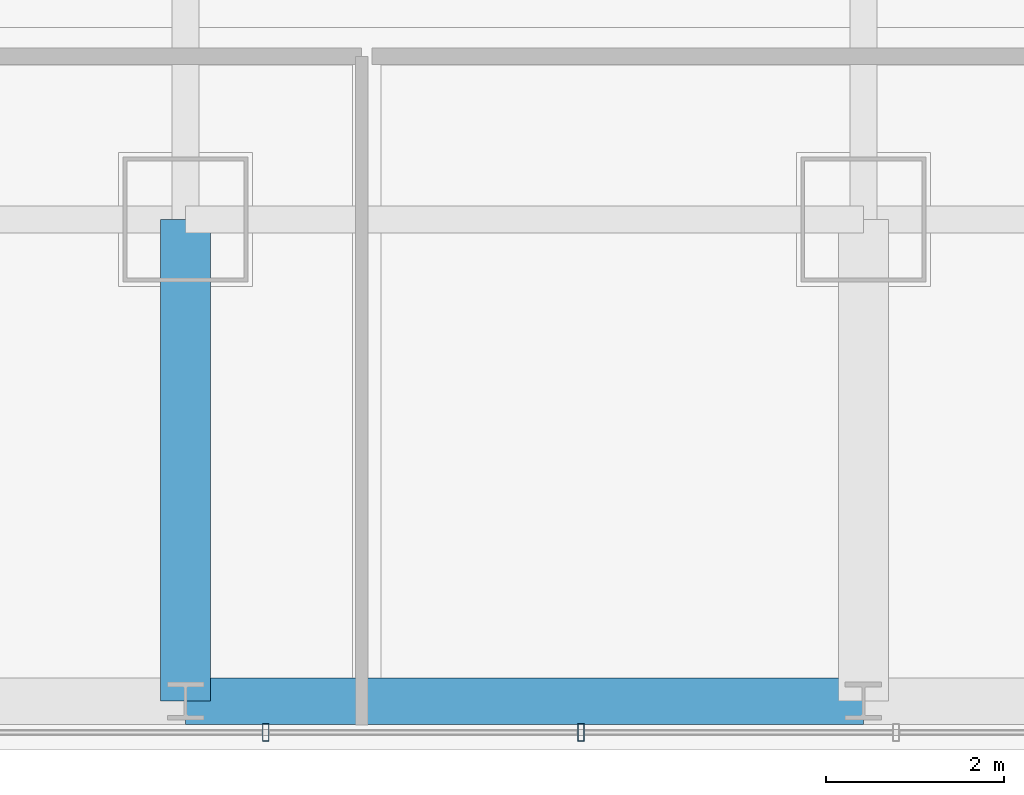
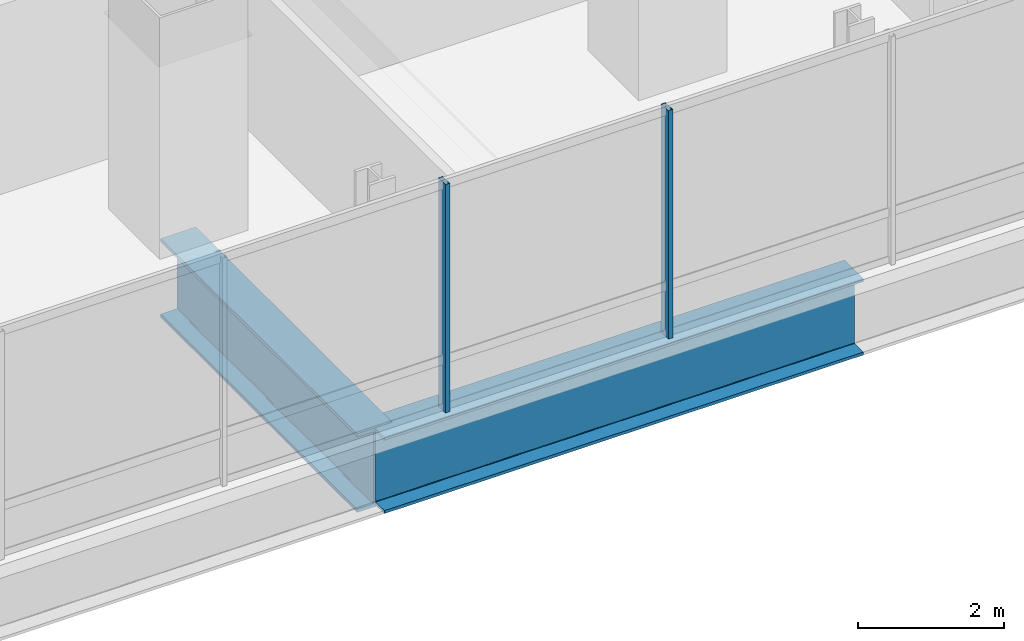
# One storey, part 5 of 36: 2 beams, 2 members, 1 element without a shape of its own.
"""IFC4 building model written with IfcOpenShell, lengths in metres."""

from ifc_helpers import new_model, si_unit, direction, frame, origin, origin_2d, place, context, subcontext, project, spatial, hollow_rectangle, i_section, extrude, material, material_profile, profile_set, type_object, element, aggregate, save


model = new_model("IFC4")

# Units and contexts
model_context = context("Model", 3, precision=1e-05, world=origin(), true_north=direction((0.0, 1.0)))
body_context = subcontext(model_context, "Body", "Model", "MODEL_VIEW")
ifc_project = project(units=[si_unit("LENGTHUNIT", "METRE"), si_unit("AREAUNIT", "SQUARE_METRE"), si_unit("VOLUMEUNIT", "CUBIC_METRE"), si_unit("PLANEANGLEUNIT", "RADIAN"), si_unit("MASSUNIT", "GRAM", prefix="KILO")], contexts=[model_context])

# Site, building, storey
site_placement = place(None, origin())
site = spatial("IfcSite", under=ifc_project, at=site_placement, CompositionType="ELEMENT")
building_placement = place(site_placement, origin())
building = spatial("IfcBuilding", under=site, at=building_placement, Name="Punatoya Terracotta Tower", CompositionType="ELEMENT")
storey_placement = place(building_placement, frame((0.0, 0.0, 208.64990234375)))
storey = spatial("IfcBuildingStorey", under=building, at=storey_placement, Name="L49", CompositionType="ELEMENT", Elevation=208.64990234375)

# Beams
ifc_material_1 = material(Name="Steel S460", Category="steel")
ifc_material_profile_1 = material_profile(ifc_material_1, i_section(OverallWidth=0.56005859375, OverallDepth=1.320068359375, WebThickness=0.035888671875, FlangeThickness=0.054931640625, FilletRadius=0.01806640625, at=origin_2d()))
ifc_profile_set_1 = profile_set([ifc_material_profile_1], Name="Steel S460")
beam_type_1 = type_object("IfcBeamType", Name="BM-TG-BLK", PredefinedType="BEAM", material=ifc_profile_set_1)
beam_1_placement = place(storey_placement, frame((-3.800048828125, -22.89990234375, -0.8798828125), z_axis=(0.0, 1.0, 0.0), x_axis=(-1.0, 0.0, 0.0)))
element("IfcBeam", 1, at=beam_1_placement, inside=storey, type_object=beam_type_1, Name="BM-L49-CANT-S2", PredefinedType="BEAM", context=body_context, shape_type="SweptSolid", body=[
    extrude(i_section(OverallWidth=0.56005859375, OverallDepth=1.320068359375, WebThickness=0.035888671875, FlangeThickness=0.054931640625, FilletRadius=0.01806640625, at=origin_2d()), origin(), (0.0, 0.0, 1.0), 5.39990234375),
])
ifc_material_profile_2 = material_profile(ifc_material_1, i_section(OverallWidth=0.52001953125, OverallDepth=1.280029296875, WebThickness=0.031982421875, FlangeThickness=0.050048828125, FilletRadius=0.01806640625, at=origin_2d()))
ifc_profile_set_2 = profile_set([ifc_material_profile_2], Name="Steel S460")
beam_type_2 = type_object("IfcBeamType", Name="BM-TG-NCK", PredefinedType="BEAM", material=ifc_profile_set_2)
beam_2_placement = place(storey_placement, frame((-3.800048828125, -22.89990234375, -0.85986328125), z_axis=(1.0, 0.0, 0.0), x_axis=(0.0, 1.0, 0.0)))
element("IfcBeam", 2, at=beam_2_placement, inside=storey, type_object=beam_type_2, Name="BM-L49-PER-S2", PredefinedType="BEAM", context=body_context, shape_type="SweptSolid", body=[
    extrude(i_section(OverallWidth=0.52001953125, OverallDepth=1.280029296875, WebThickness=0.031982421875, FlangeThickness=0.050048828125, FilletRadius=0.01806640625, at=origin_2d()), origin(), (0.0, 0.0, 1.0), 7.60009765625),
])

# Curtain wall, members
ifc_material_2 = material(Name="Aluminium 6063-T6 + Double Low-E Glass", Category="aluminium")
curtain_wall_type = type_object("IfcCurtainWallType", Name="CW-M2", PredefinedType="NOTDEFINED", material=ifc_material_2)
curtain_wall_placement = place(storey_placement, origin())
curtain_wall = element("IfcCurtainWall", 3, at=curtain_wall_placement, inside=storey, type_object=curtain_wall_type, Name="L49 Curtain Wall CW-L49-S01-1", PredefinedType="NOTDEFINED")
ifc_material_3 = material(Name="Aluminium 6063-T6", Category="aluminium")
ifc_material_profile_3 = material_profile(ifc_material_3, hollow_rectangle(XDim=0.072021484375, YDim=0.195068359375, WallThickness=0.00439453125, at=origin_2d()))
ifc_profile_set_3 = profile_set([ifc_material_profile_3], Name="Aluminium 6063-T6")
member_type = type_object("IfcMemberType", Name="CW-MUL-M2", PredefinedType="MULLION", material=ifc_profile_set_3)
member_1_placement = place(storey_placement, frame((-2.90087890625, -23.25, 0.0), z_axis=(0.0, 0.0, 1.0), x_axis=(1.0, 0.0, 0.0)))
member_1 = element("IfcMember", 4, at=member_1_placement, type_object=member_type, Name="CW-L49-S01-1 Mullion 04", PredefinedType="MULLION", context=body_context, shape_type="SweptSolid", body=[
    extrude(hollow_rectangle(XDim=0.072021484375, YDim=0.195068359375, WallThickness=0.00439453125, at=origin_2d()), origin(), (0.0, 0.0, 1.0), 3.830078125),
])
member_2_placement = place(storey_placement, frame((0.633056640625, -23.25, 0.0), z_axis=(0.0, 0.0, 1.0), x_axis=(1.0, 0.0, 0.0)))
member_2 = element("IfcMember", 5, at=member_2_placement, type_object=member_type, Name="CW-L49-S01-1 Mullion 05", PredefinedType="MULLION", context=body_context, shape_type="SweptSolid", body=[
    extrude(hollow_rectangle(XDim=0.072021484375, YDim=0.195068359375, WallThickness=0.00439453125, at=origin_2d()), origin(), (0.0, 0.0, 1.0), 3.830078125),
])
aggregate(curtain_wall, [member_1, member_2])

save(model, "model.ifc")
